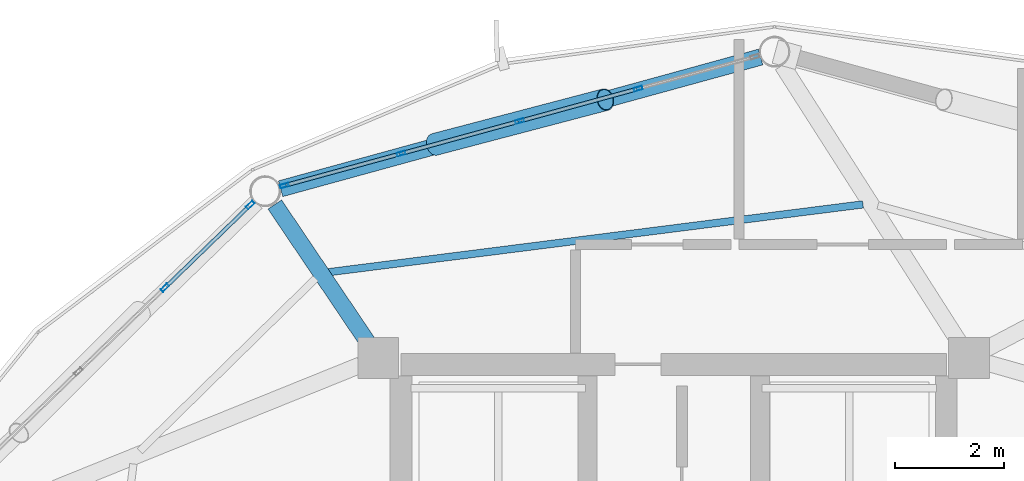
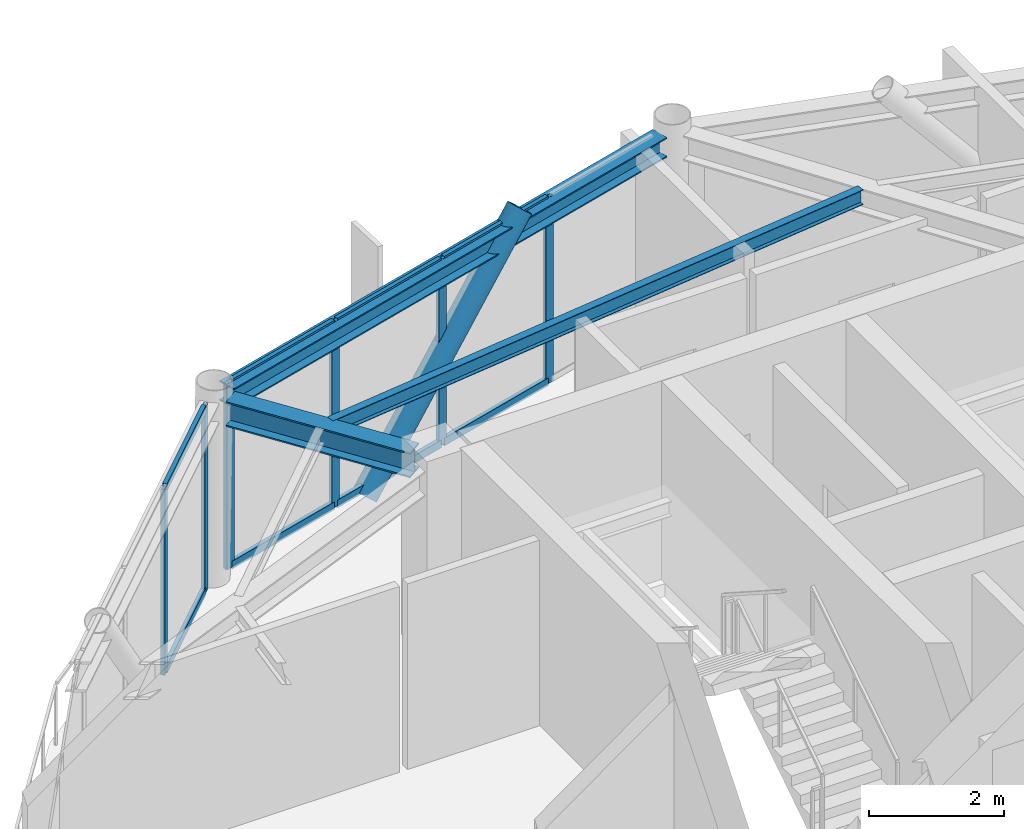
# One storey, part 18 of 27: 15 members, 3 beams, 2 elements without a shape of their own.
"""IFC4 building model written with IfcOpenShell, lengths in metres."""

from ifc_helpers import new_model, si_unit, direction, frame, origin, origin_2d, place, context, subcontext, project, spatial, hollow_rectangle, hollow_circle, i_section, extrude, material, layer, layer_set, material_profile, profile_set, type_object, element, aggregate, save


model = new_model("IFC4")

# Units and contexts
model_context = context("Model", 3, precision=1e-05, world=origin(), true_north=direction((0.0, 1.0)))
body_context = subcontext(model_context, "Body", "Model", "MODEL_VIEW")
ifc_project = project(units=[si_unit("LENGTHUNIT", "METRE"), si_unit("AREAUNIT", "SQUARE_METRE"), si_unit("VOLUMEUNIT", "CUBIC_METRE"), si_unit("PLANEANGLEUNIT", "RADIAN"), si_unit("MASSUNIT", "GRAM", prefix="KILO")], contexts=[model_context])

# Site, building, storey
site_placement = place(None, origin())
site = spatial("IfcSite", under=ifc_project, at=site_placement, CompositionType="ELEMENT")
building_placement = place(site_placement, origin())
building = spatial("IfcBuilding", under=site, at=building_placement, Name="Varnakorn Sky Granary", CompositionType="ELEMENT")
storey_placement = place(building_placement, frame((0.0, 0.0, 229.199951171875)))
storey = spatial("IfcBuildingStorey", under=building, at=storey_placement, Name="L58", CompositionType="ELEMENT", Elevation=229.199951171875)

# Beams
ifc_material_1 = material(Name="Steel S355JR", Category="steel")
ifc_material_profile_1 = material_profile(ifc_material_1, i_section(OverallWidth=0.300048828125, OverallDepth=0.449951171875, WebThickness=0.013916015625, FlangeThickness=0.02587890625, at=origin_2d()), Name="HE 450 B")
ifc_profile_set_1 = profile_set([ifc_material_profile_1], Name="Steel S355JR")
beam_type_1 = type_object("IfcBeamType", Name="BM-RAD-Z5", PredefinedType="BEAM", material=ifc_profile_set_1)
beam_1_placement = place(storey_placement, frame((-2.61865234375, 12.914306640625, 3.135009765625), z_axis=(-0.559309960272, 0.82895860472, 0.0), x_axis=(-0.82895860472, -0.559309960272, 0.0)))
element("IfcBeam", 1, at=beam_1_placement, inside=storey, type_object=beam_type_1, Name="Radial Floor Girder RG05 L58", PredefinedType="BEAM", context=body_context, shape_type="SweptSolid", body=[
    extrude(i_section(OverallWidth=0.300048828125, OverallDepth=0.449951171875, WebThickness=0.013916015625, FlangeThickness=0.02587890625, at=origin_2d()), origin(), (0.0, 0.0, 1.0), 3.03759765625),
])
ifc_material_profile_2 = material_profile(ifc_material_1, i_section(OverallWidth=0.135009765625, OverallDepth=0.27001953125, WebThickness=0.006591796875, FlangeThickness=0.01025390625, at=origin_2d()), Name="IPE 270")
ifc_profile_set_2 = profile_set([ifc_material_profile_2], Name="Steel S355JR")
beam_type_2 = type_object("IfcBeamType", Name="BM-SEC-Z5", PredefinedType="BEAM", material=ifc_profile_set_2)
beam_2_placement = place(storey_placement, frame((6.4716796875, 15.4345703125, 3.22509765625), z_axis=(-0.992044999826, -0.125883749231, 0.0), x_axis=(0.125883749231, -0.992044999826, 0.0)))
element("IfcBeam", 2, at=beam_2_placement, inside=storey, type_object=beam_type_2, Name="Secondary Floor Chord Beam MSB04 L58", PredefinedType="BEAM", context=body_context, shape_type="SweptSolid", body=[
    extrude(i_section(OverallWidth=0.135009765625, OverallDepth=0.27001953125, WebThickness=0.006591796875, FlangeThickness=0.01025390625, at=origin_2d()), origin(), (0.0, 0.0, 1.0), 9.87939453125),
])
ifc_material_profile_3 = material_profile(ifc_material_1, i_section(OverallWidth=0.300048828125, OverallDepth=0.360107421875, WebThickness=0.012451171875, FlangeThickness=0.0224609375, at=origin_2d()), Name="HE 360 B")
ifc_profile_set_3 = profile_set([ifc_material_profile_3], Name="Steel S355JR")
beam_type_3 = type_object("IfcBeamType", Name="BM-SPD-Z5", PredefinedType="SPANDREL", material=ifc_profile_set_3)
beam_3_placement = place(storey_placement, frame((4.594970703125, 18.137939453125, 3.179931640625), z_axis=(-0.964351705394, -0.264623861932, 0.0), x_axis=(0.264623861932, -0.964351705394, 0.0)))
element("IfcBeam", 3, at=beam_3_placement, inside=storey, type_object=beam_type_3, Name="Perimeter Spandrel Ring Beam RB04 L58", PredefinedType="SPANDREL", context=body_context, shape_type="SweptSolid", body=[
    extrude(i_section(OverallWidth=0.300048828125, OverallDepth=0.360107421875, WebThickness=0.012451171875, FlangeThickness=0.0224609375, at=origin_2d()), origin(), (0.0, 0.0, 1.0), 9.130859375),
])

# Curtain wall, members
ifc_material_2 = material(Name="Anodised Bronze Aluminium Alloy 6063-T6", Category="aluminium")
ifc_layer = layer(ifc_material_2, 0.169921875, Name="Anodised Bronze Aluminium Alloy 6063-T6")
ifc_layer_set = layer_set([ifc_layer], Name="Anodised Bronze Aluminium Alloy 6063-T6")
curtain_wall_type = type_object("IfcCurtainWallType", Name="CW-LAB-1", PredefinedType="USERDEFINED", material=ifc_layer_set)
curtain_wall_1_placement = place(storey_placement, origin())
curtain_wall_1 = element("IfcCurtainWall", 4, at=curtain_wall_1_placement, inside=storey, type_object=curtain_wall_type, Name="Unitised Curtain Wall CW5 CW-L58-B04", ObjectType="CURTAIN WALL", PredefinedType="USERDEFINED")
ifc_material_profile_4 = material_profile(ifc_material_2, hollow_rectangle(XDim=0.06494140625, YDim=0.159912109375, WallThickness=0.00341796875, at=origin_2d()), Name="ALU MULL 65x160")
ifc_profile_set_4 = profile_set([ifc_material_profile_4], Name="Anodised Bronze Aluminium Alloy 6063-T6")
member_type_1 = type_object("IfcMemberType", Name="CW-LAB-1-MULL", PredefinedType="MULLION", material=ifc_profile_set_4)
member_1_placement = place(storey_placement, frame((-4.140869140625, 15.779296875, 0.0), z_axis=(0.0, 0.0, 1.0), x_axis=(-0.264172247962, 0.964475517267, 0.0)))
member_1 = element("IfcMember", 5, at=member_1_placement, type_object=member_type_1, Name="CW5 mullion 1", PredefinedType="MULLION", context=body_context, shape_type="SweptSolid", body=[
    extrude(hollow_rectangle(XDim=0.06494140625, YDim=0.159912109375, WallThickness=0.00341796875, at=origin_2d()), origin(), (0.0, 0.0, 1.0), 3.360107421875),
])
member_2_placement = place(storey_placement, frame((-1.99853515625, 16.3662109375, 0.0), z_axis=(0.0, 0.0, 1.0), x_axis=(-0.264172247962, 0.964475517267, 0.0)))
member_2 = element("IfcMember", 6, at=member_2_placement, type_object=member_type_1, Name="CW5 mullion 2", PredefinedType="MULLION", context=body_context, shape_type="SweptSolid", body=[
    extrude(hollow_rectangle(XDim=0.06494140625, YDim=0.159912109375, WallThickness=0.00341796875, at=origin_2d()), origin(), (0.0, 0.0, 1.0), 3.360107421875),
])
member_3_placement = place(storey_placement, frame((0.17529296875, 16.961669921875, 0.0), z_axis=(0.0, 0.0, 1.0), x_axis=(-0.264172247962, 0.964475517267, 0.0)))
member_3 = element("IfcMember", 7, at=member_3_placement, type_object=member_type_1, Name="CW5 mullion 3", PredefinedType="MULLION", context=body_context, shape_type="SweptSolid", body=[
    extrude(hollow_rectangle(XDim=0.06494140625, YDim=0.159912109375, WallThickness=0.00341796875, at=origin_2d()), origin(), (0.0, 0.0, 1.0), 3.360107421875),
])
member_4_placement = place(storey_placement, frame((2.348876953125, 17.556884765625, 0.0), z_axis=(0.0, 0.0, 1.0), x_axis=(-0.264172247962, 0.964475517267, 0.0)))
member_4 = element("IfcMember", 8, at=member_4_placement, type_object=member_type_1, Name="CW5 mullion 4", PredefinedType="MULLION", context=body_context, shape_type="SweptSolid", body=[
    extrude(hollow_rectangle(XDim=0.06494140625, YDim=0.159912109375, WallThickness=0.00341796875, at=origin_2d()), origin(), (0.0, 0.0, 1.0), 3.360107421875),
])

curtain_wall_2_placement = place(storey_placement, origin())
curtain_wall_2 = element("IfcCurtainWall", 9, at=curtain_wall_2_placement, inside=storey, type_object=curtain_wall_type, Name="Unitised Curtain Wall CW5 CW-L58-B05", ObjectType="CURTAIN WALL", PredefinedType="USERDEFINED")
member_5_placement = place(storey_placement, frame((-6.33251953125, 13.906005859375, 0.0), z_axis=(0.0, 0.0, 1.0), x_axis=(-0.695640153276, 0.718390407195, 0.0)))
member_5 = element("IfcMember", 10, at=member_5_placement, type_object=member_type_1, Name="CW5 mullion 4", PredefinedType="MULLION", context=body_context, shape_type="SweptSolid", body=[
    extrude(hollow_rectangle(XDim=0.06494140625, YDim=0.159912109375, WallThickness=0.00341796875, at=origin_2d()), origin(), (0.0, 0.0, 1.0), 3.360107421875),
])
member_6_placement = place(storey_placement, frame((-4.766845703125, 15.42236328125, 0.0), z_axis=(0.0, 0.0, 1.0), x_axis=(-0.695640153276, 0.718390407195, 0.0)))
member_6 = element("IfcMember", 11, at=member_6_placement, type_object=member_type_1, Name="CW5 mullion 5", PredefinedType="MULLION", context=body_context, shape_type="SweptSolid", body=[
    extrude(hollow_rectangle(XDim=0.06494140625, YDim=0.159912109375, WallThickness=0.00341796875, at=origin_2d()), origin(), (0.0, 0.0, 1.0), 3.360107421875),
])

# Member
ifc_material_profile_5 = material_profile(ifc_material_2, hollow_rectangle(XDim=0.070068359375, YDim=0.139892578125, WallThickness=0.00341796875, at=origin_2d()), Name="ALU TRAN 70x140")
ifc_profile_set_5 = profile_set([ifc_material_profile_5], Name="Anodised Bronze Aluminium Alloy 6063-T6")
member_type_2 = type_object("IfcMemberType", Name="CW-LAB-1-TRAN", PredefinedType="USERDEFINED", material=ifc_profile_set_5)
member_7_placement = place(storey_placement, frame((-4.109375, 15.7880859375, 0.03515625), z_axis=(0.964478443367, 0.264161564731, 0.0), x_axis=(-0.264161564731, 0.964478443367, 0.0)))
member_7 = element("IfcMember", 12, at=member_7_placement, type_object=member_type_2, Name="CW5 transom 1.1", ObjectType="TRANSOM", PredefinedType="USERDEFINED", context=body_context, shape_type="SweptSolid", body=[
    extrude(hollow_rectangle(XDim=0.070068359375, YDim=0.139892578125, WallThickness=0.00341796875, at=origin_2d()), origin(), (0.0, 0.0, 1.0), 2.15625),
])

member_8_placement = place(storey_placement, frame((-4.109375, 15.7880859375, 3.324951171875), z_axis=(0.964478443367, 0.264161564731, 0.0), x_axis=(-0.264161564731, 0.964478443367, 0.0)))
member_8 = element("IfcMember", 13, at=member_8_placement, type_object=member_type_2, Name="CW5 transom 1.2", ObjectType="TRANSOM", PredefinedType="USERDEFINED", context=body_context, shape_type="SweptSolid", body=[
    extrude(hollow_rectangle(XDim=0.070068359375, YDim=0.139892578125, WallThickness=0.00341796875, at=origin_2d()), origin(), (0.0, 0.0, 1.0), 2.15625),
])

member_9_placement = place(storey_placement, frame((-1.967041015625, 16.374755859375, 0.03515625), z_axis=(0.964480091622, 0.264155546722, 0.0), x_axis=(-0.264155546722, 0.964480091622, 0.0)))
member_9 = element("IfcMember", 14, at=member_9_placement, type_object=member_type_2, Name="CW5 transom 2.1", ObjectType="TRANSOM", PredefinedType="USERDEFINED", context=body_context, shape_type="SweptSolid", body=[
    extrude(hollow_rectangle(XDim=0.070068359375, YDim=0.139892578125, WallThickness=0.00341796875, at=origin_2d()), origin(), (0.0, 0.0, 1.0), 2.1884765625),
])

member_10_placement = place(storey_placement, frame((-1.967041015625, 16.374755859375, 3.324951171875), z_axis=(0.964480091622, 0.264155546722, 0.0), x_axis=(-0.264155546722, 0.964480091622, 0.0)))
member_10 = element("IfcMember", 15, at=member_10_placement, type_object=member_type_2, Name="CW5 transom 2.2", ObjectType="TRANSOM", PredefinedType="USERDEFINED", context=body_context, shape_type="SweptSolid", body=[
    extrude(hollow_rectangle(XDim=0.070068359375, YDim=0.139892578125, WallThickness=0.00341796875, at=origin_2d()), origin(), (0.0, 0.0, 1.0), 2.1884765625),
])

member_11_placement = place(storey_placement, frame((0.20654296875, 16.97021484375, 0.03515625), z_axis=(0.964487874271, 0.264127129209, 0.0), x_axis=(-0.264127129209, 0.964487874271, 0.0)))
member_11 = element("IfcMember", 16, at=member_11_placement, type_object=member_type_2, Name="CW5 transom 3.1", ObjectType="TRANSOM", PredefinedType="USERDEFINED", context=body_context, shape_type="SweptSolid", body=[
    extrude(hollow_rectangle(XDim=0.070068359375, YDim=0.139892578125, WallThickness=0.00341796875, at=origin_2d()), origin(), (0.0, 0.0, 1.0), 2.188720703125),
])

member_12_placement = place(storey_placement, frame((0.20654296875, 16.97021484375, 3.324951171875), z_axis=(0.964487874271, 0.264127129209, 0.0), x_axis=(-0.264127129209, 0.964487874271, 0.0)))
member_12 = element("IfcMember", 17, at=member_12_placement, type_object=member_type_2, Name="CW5 transom 3.2", ObjectType="TRANSOM", PredefinedType="USERDEFINED", context=body_context, shape_type="SweptSolid", body=[
    extrude(hollow_rectangle(XDim=0.070068359375, YDim=0.139892578125, WallThickness=0.00341796875, at=origin_2d()), origin(), (0.0, 0.0, 1.0), 2.188720703125),
])

aggregate(curtain_wall_1, [member_1, member_2, member_3, member_4, member_7, member_8, member_9, member_10, member_11, member_12])

member_13_placement = place(storey_placement, frame((-6.30908203125, 13.9287109375, 0.03515625), z_axis=(0.718388064337, 0.695642572747, 0.0), x_axis=(-0.695642572747, 0.718388064337, 0.0)))
member_13 = element("IfcMember", 18, at=member_13_placement, type_object=member_type_2, Name="CW5 transom 4.1", ObjectType="TRANSOM", PredefinedType="USERDEFINED", context=body_context, shape_type="SweptSolid", body=[
    extrude(hollow_rectangle(XDim=0.070068359375, YDim=0.139892578125, WallThickness=0.00341796875, at=origin_2d()), origin(), (0.0, 0.0, 1.0), 2.114501953125),
])

member_14_placement = place(storey_placement, frame((-6.30908203125, 13.9287109375, 3.324951171875), z_axis=(0.718388064337, 0.695642572747, 0.0), x_axis=(-0.695642572747, 0.718388064337, 0.0)))
member_14 = element("IfcMember", 19, at=member_14_placement, type_object=member_type_2, Name="CW5 transom 4.2", ObjectType="TRANSOM", PredefinedType="USERDEFINED", context=body_context, shape_type="SweptSolid", body=[
    extrude(hollow_rectangle(XDim=0.070068359375, YDim=0.139892578125, WallThickness=0.00341796875, at=origin_2d()), origin(), (0.0, 0.0, 1.0), 2.114501953125),
])

aggregate(curtain_wall_2, [member_5, member_6, member_13, member_14])

ifc_material_3 = material(Name="Steel S460M", Category="steel")
ifc_material_profile_6 = material_profile(ifc_material_3, hollow_circle(Radius=0.203125, WallThickness=0.01611328125, at=origin_2d()), Name="CHS 406.4x16")
ifc_profile_set_6 = profile_set([ifc_material_profile_6], Name="Steel S460M")
member_type_3 = type_object("IfcMemberType", Name="MB-DIAG-T4", PredefinedType="BRACE", material=ifc_profile_set_6)
member_15_placement = place(storey_placement, frame((-1.383056640625, 16.53466796875, -0.1298828125), z_axis=(0.6443939472, 0.169196162846, 0.745740638084), x_axis=(-0.253958160294, 0.967215205019, 0.0)))
element("IfcMember", 20, at=member_15_placement, inside=storey, type_object=member_type_3, Name="Perimeter CHS Diagrid Brace DG04 L58", PredefinedType="BRACE", context=body_context, shape_type="SweptSolid", body=[
    extrude(hollow_circle(Radius=0.203125, WallThickness=0.01611328125, at=origin_2d()), origin(), (0.0, 0.0, 1.0), 4.85400390625),
])

save(model, "model.ifc")
